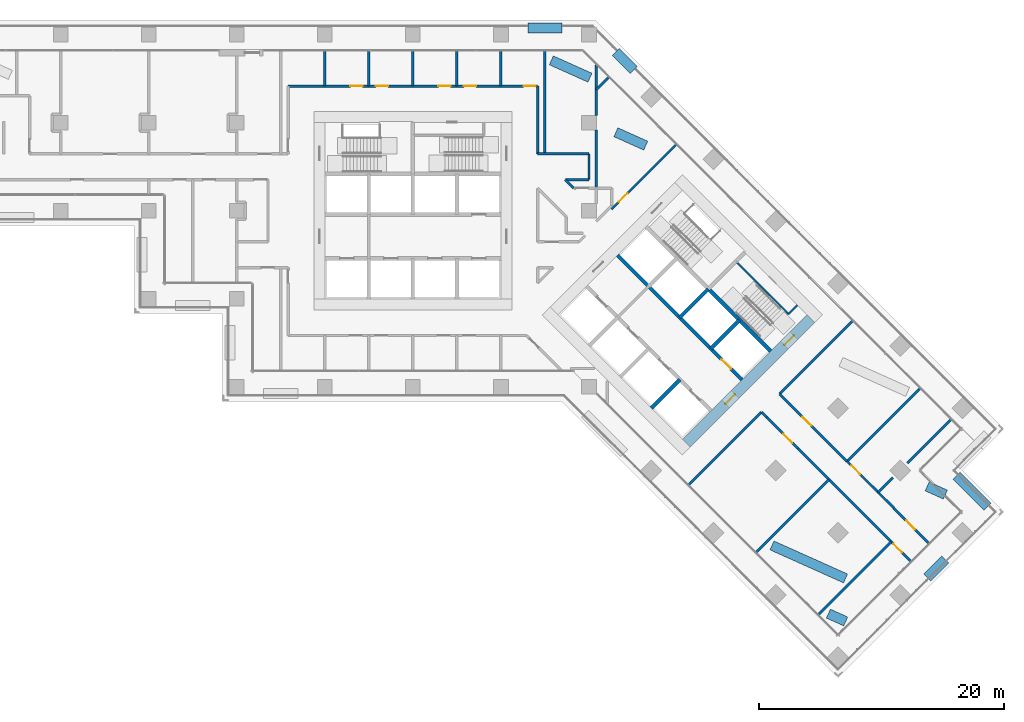
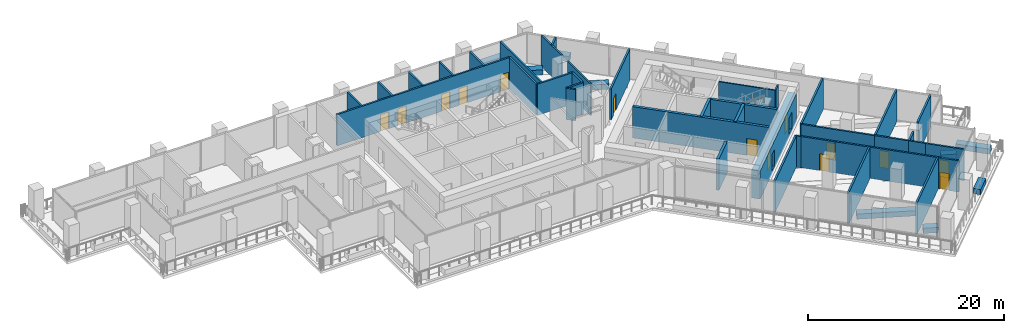
# One storey, part 14 of 24: 47 walls, 14 doors, 14 openings.
"""IFC4 building model written with IfcOpenShell, lengths in metres."""

from ifc_helpers import new_model, si_unit, direction, frame, frame_2d, origin, place, context, subcontext, project, spatial, polyline, rectangle, outline, extrude, material, layer, layer_set, type_object, element, fill, save


model = new_model("IFC4")

# Units and contexts
model_context = context("Model", 3, precision=1e-05, world=origin(), true_north=direction((0.0, 1.0)))
body_context = subcontext(model_context, "Body", "Model", "MODEL_VIEW")
ifc_project = project(units=[si_unit("LENGTHUNIT", "METRE"), si_unit("AREAUNIT", "SQUARE_METRE"), si_unit("VOLUMEUNIT", "CUBIC_METRE"), si_unit("PLANEANGLEUNIT", "RADIAN"), si_unit("MASSUNIT", "GRAM", prefix="KILO")], contexts=[model_context])

# Site, building, storey
site_placement = place(None, origin())
site = spatial("IfcSite", under=ifc_project, at=site_placement, CompositionType="ELEMENT")
building_placement = place(site_placement, origin())
building = spatial("IfcBuilding", under=site, at=building_placement, Name="Windrow Commons", CompositionType="ELEMENT")
storey_placement = place(building_placement, frame((0.0, 0.0, 77.0)))
storey = spatial("IfcBuildingStorey", under=building, at=storey_placement, Name="L20", CompositionType="ELEMENT", Elevation=77.0)

# Wall, openings, doors
ifc_material_1 = material(Name="Blockwork partition", Category="masonry")
ifc_layer_1 = layer(ifc_material_1, 0.2)
ifc_layer_set_1 = layer_set([ifc_layer_1], Name="IW-CORRIDOR-200")
wall_type_1 = type_object("IfcWallType", Name="IW-CORRIDOR-200", PredefinedType="PARTITIONING", material=ifc_layer_set_1)
wall_1_placement = place(storey_placement, frame((54.6, 67.8, 0.0), z_axis=(0.0, 0.0, 1.0), x_axis=(1.0, 0.0, 0.0)))
wall_1 = element("IfcWall", 1, at=wall_1_placement, inside=storey, type_object=wall_type_1, Name="W-L20-W002", PredefinedType="PARTITIONING", context=body_context, shape_type="SweptSolid", body=[
    extrude(rectangle(XDim=20.4, YDim=0.2, at=frame_2d((10.2, 0.0))), origin(), (0.0, 0.0, 1.0), 3.9),
])
opening_1_placement = place(wall_1_placement, frame((19.2568, 0.0, 0.0)))
opening_1 = element("IfcOpeningElement", 2, at=opening_1_placement, cuts=wall_1, Name="Opening D310F", PredefinedType="OPENING", context=body_context, shape_type="SweptSolid", body=[
    extrude(rectangle(XDim=1.0, YDim=2.1, at=frame_2d((0.5, 1.05))), frame((0.0, 0.11, 0.0), z_axis=(0.0, -1.0, 0.0), x_axis=(1.0, 0.0, 0.0)), (0.0, 0.0, 1.0), 0.22),
])
opening_2_placement = place(wall_1_placement, frame((5.0925, 0.0, 0.0)))
opening_2 = element("IfcOpeningElement", 3, at=opening_2_placement, cuts=wall_1, Name="Opening D310F", PredefinedType="OPENING", context=body_context, shape_type="SweptSolid", body=[
    extrude(rectangle(XDim=1.0, YDim=2.1, at=frame_2d((0.5, 1.05))), frame((0.0, 0.11, 0.0), z_axis=(0.0, -1.0, 0.0), x_axis=(1.0, 0.0, 0.0)), (0.0, 0.0, 1.0), 0.22),
])
opening_3_placement = place(wall_1_placement, frame((7.1675, 0.0, 0.0)))
opening_3 = element("IfcOpeningElement", 4, at=opening_3_placement, cuts=wall_1, Name="Opening D310F", PredefinedType="OPENING", context=body_context, shape_type="SweptSolid", body=[
    extrude(rectangle(XDim=1.0, YDim=2.1, at=frame_2d((0.5, 1.05))), frame((0.0, 0.11, 0.0), z_axis=(0.0, -1.0, 0.0), x_axis=(1.0, 0.0, 0.0)), (0.0, 0.0, 1.0), 0.22),
])
opening_4_placement = place(wall_1_placement, frame((12.2925, 0.0, 0.0)))
opening_4 = element("IfcOpeningElement", 5, at=opening_4_placement, cuts=wall_1, Name="Opening D310F", PredefinedType="OPENING", context=body_context, shape_type="SweptSolid", body=[
    extrude(rectangle(XDim=1.0, YDim=2.1, at=frame_2d((0.5, 1.05))), frame((0.0, 0.11, 0.0), z_axis=(0.0, -1.0, 0.0), x_axis=(1.0, 0.0, 0.0)), (0.0, 0.0, 1.0), 0.22),
])
opening_5_placement = place(wall_1_placement, frame((14.3675, 0.0, 0.0)))
opening_5 = element("IfcOpeningElement", 6, at=opening_5_placement, cuts=wall_1, Name="Opening D310F", PredefinedType="OPENING", context=body_context, shape_type="SweptSolid", body=[
    extrude(rectangle(XDim=1.0, YDim=2.1, at=frame_2d((0.5, 1.05))), frame((0.0, 0.11, 0.0), z_axis=(0.0, -1.0, 0.0), x_axis=(1.0, 0.0, 0.0)), (0.0, 0.0, 1.0), 0.22),
])
ifc_material_2 = material(Name="Timber door leaf", Category="wood")
door_type_1 = type_object("IfcDoorType", Name="DT-AMENITY-1000", OperationType="SINGLE_SWING_LEFT", PredefinedType="DOOR", material=ifc_material_2)
door_1_placement = place(opening_1_placement, origin())
door_1 = element("IfcDoor", 7, at=door_1_placement, inside=storey, type_object=door_type_1, Name="D-L20-D018", OperationType="SINGLE_SWING_RIGHT", OverallHeight=2.1, OverallWidth=1.0, PredefinedType="DOOR", context=body_context, shape_type="SweptSolid", body=[
    extrude(rectangle(XDim=1.0, YDim=2.1, at=frame_2d((0.5, 1.05))), frame((0.0, 0.025, 0.0), z_axis=(0.0, -1.0, 0.0), x_axis=(1.0, 0.0, 0.0)), (0.0, 0.0, 1.0), 0.05),
])
fill(opening_1, door_1)
door_2_placement = place(opening_2_placement, origin())
door_2 = element("IfcDoor", 8, at=door_2_placement, inside=storey, type_object=door_type_1, Name="D-L20-D019", OperationType="SINGLE_SWING_RIGHT", OverallHeight=2.1, OverallWidth=1.0, PredefinedType="DOOR", context=body_context, shape_type="SweptSolid", body=[
    extrude(rectangle(XDim=1.0, YDim=2.1, at=frame_2d((0.5, 1.05))), frame((0.0, 0.025, 0.0), z_axis=(0.0, -1.0, 0.0), x_axis=(1.0, 0.0, 0.0)), (0.0, 0.0, 1.0), 0.05),
])
fill(opening_2, door_2)
door_3_placement = place(opening_3_placement, origin())
door_3 = element("IfcDoor", 9, at=door_3_placement, inside=storey, type_object=door_type_1, Name="D-L20-D020", OperationType="SINGLE_SWING_LEFT", OverallHeight=2.1, OverallWidth=1.0, PredefinedType="DOOR", context=body_context, shape_type="SweptSolid", body=[
    extrude(rectangle(XDim=1.0, YDim=2.1, at=frame_2d((0.5, 1.05))), frame((0.0, 0.025, 0.0), z_axis=(0.0, -1.0, 0.0), x_axis=(1.0, 0.0, 0.0)), (0.0, 0.0, 1.0), 0.05),
])
fill(opening_3, door_3)
door_4_placement = place(opening_4_placement, origin())
door_4 = element("IfcDoor", 10, at=door_4_placement, inside=storey, type_object=door_type_1, Name="D-L20-D021", OperationType="SINGLE_SWING_RIGHT", OverallHeight=2.1, OverallWidth=1.0, PredefinedType="DOOR", context=body_context, shape_type="SweptSolid", body=[
    extrude(rectangle(XDim=1.0, YDim=2.1, at=frame_2d((0.5, 1.05))), frame((0.0, 0.025, 0.0), z_axis=(0.0, -1.0, 0.0), x_axis=(1.0, 0.0, 0.0)), (0.0, 0.0, 1.0), 0.05),
])
fill(opening_4, door_4)
door_5_placement = place(opening_5_placement, origin())
door_5 = element("IfcDoor", 11, at=door_5_placement, inside=storey, type_object=door_type_1, Name="D-L20-D022", OperationType="SINGLE_SWING_LEFT", OverallHeight=2.1, OverallWidth=1.0, PredefinedType="DOOR", context=body_context, shape_type="SweptSolid", body=[
    extrude(rectangle(XDim=1.0, YDim=2.1, at=frame_2d((0.5, 1.05))), frame((0.0, 0.025, 0.0), z_axis=(0.0, -1.0, 0.0), x_axis=(1.0, 0.0, 0.0)), (0.0, 0.0, 1.0), 0.05),
])
fill(opening_5, door_5)

# Wall, opening, door
wall_2_placement = place(storey_placement, frame((96.2736, 38.1616, 0.0), z_axis=(0.0, 0.0, 1.0), x_axis=(0.7071067812, -0.7071067812, 0.0)))
wall_2 = element("IfcWall", 12, at=wall_2_placement, inside=storey, type_object=wall_type_1, Name="W-L20-W004", PredefinedType="PARTITIONING", context=body_context, shape_type="SweptSolid", body=[
    extrude(outline(polyline([(0.0, -0.1), (13.0687, -0.1), (13.0687, 0.1), (0.0, 0.1), (0.0, -0.1)])), origin(), (0.0, 0.0, 1.0), 3.9),
])
opening_6_placement = place(wall_2_placement, frame((11.0529, 0.0, 0.0)))
opening_6 = element("IfcOpeningElement", 13, at=opening_6_placement, cuts=wall_2, Name="Opening D310F", PredefinedType="OPENING", context=body_context, shape_type="SweptSolid", body=[
    extrude(rectangle(XDim=1.0, YDim=2.1, at=frame_2d((0.5, 1.05))), frame((0.0, 0.11, 0.0), z_axis=(0.0, -1.0, 0.0), x_axis=(1.0, 0.0, 0.0)), (0.0, 0.0, 1.0), 0.22),
])
door_6_placement = place(opening_6_placement, origin())
door_6 = element("IfcDoor", 14, at=door_6_placement, inside=storey, type_object=door_type_1, Name="D-L20-D030", OperationType="SINGLE_SWING_LEFT", OverallHeight=2.1, OverallWidth=1.0, PredefinedType="DOOR", context=body_context, shape_type="SweptSolid", body=[
    extrude(rectangle(XDim=1.0, YDim=2.1, at=frame_2d((0.5, 1.05))), frame((0.0, 0.025, 0.0), z_axis=(0.0, -1.0, 0.0), x_axis=(1.0, 0.0, 0.0)), (0.0, 0.0, 1.0), 0.05),
])
fill(opening_6, door_6)

# Walls
for number, where, z_axis, x_axis, name in (
    (15, (87.3512, 35.1808, 0.0), (0.0, 0.0, 1.0), (0.7071067812, 0.7071067812, 0.0), "W-L20-W008"),
    (16, (94.7912, 42.6208, 0.0), (0.0, 0.0, 1.0), (0.7071067812, 0.7071067812, 0.0), "W-L20-W009"),
):
    element("IfcWall", number, at=place(storey_placement, frame(where, z_axis=z_axis, x_axis=x_axis)), inside=storey, type_object=wall_type_1, Name=name, PredefinedType="PARTITIONING", context=body_context, shape_type="SweptSolid", body=[
        extrude(rectangle(XDim=8.4202, YDim=0.2, at=frame_2d((4.2101, 0.0))), origin(), (0.0, 0.0, 1.0), 3.9),
    ])

# Wall, opening, door
wall_3_placement = place(storey_placement, frame((94.7885, 42.6165, 0.0), z_axis=(0.0, 0.0, 1.0), x_axis=(0.7071067812, -0.7071067812, 0.0)))
wall_3 = element("IfcWall", 17, at=wall_3_placement, inside=storey, type_object=wall_type_1, Name="W-L20-W014", PredefinedType="PARTITIONING", context=body_context, shape_type="SweptSolid", body=[
    extrude(rectangle(XDim=7.8008, YDim=0.2, at=frame_2d((3.9004, 0.0))), origin(), (0.0, 0.0, 1.0), 3.9),
])
opening_7_placement = place(wall_3_placement, frame((2.6742, 0.0, 0.0)))
opening_7 = element("IfcOpeningElement", 18, at=opening_7_placement, cuts=wall_3, Name="Opening D310F", PredefinedType="OPENING", context=body_context, shape_type="SweptSolid", body=[
    extrude(rectangle(XDim=1.0, YDim=2.1, at=frame_2d((0.5, 1.05))), frame((0.0, 0.11, 0.0), z_axis=(0.0, -1.0, 0.0), x_axis=(1.0, 0.0, 0.0)), (0.0, 0.0, 1.0), 0.22),
])
door_7_placement = place(opening_7_placement, origin())
door_7 = element("IfcDoor", 19, at=door_7_placement, inside=storey, type_object=door_type_1, Name="D-L20-D025", OperationType="SINGLE_SWING_RIGHT", OverallHeight=2.1, OverallWidth=1.0, PredefinedType="DOOR", context=body_context, shape_type="SweptSolid", body=[
    extrude(rectangle(XDim=1.0, YDim=2.1, at=frame_2d((0.5, 1.05))), frame((0.0, 0.025, 0.0), z_axis=(0.0, -1.0, 0.0), x_axis=(1.0, 0.0, 0.0)), (0.0, 0.0, 1.0), 0.05),
])
fill(opening_7, door_7)

wall_4_placement = place(storey_placement, frame((81.0512, 57.7308, 0.0), z_axis=(0.0, 0.0, 1.0), x_axis=(0.7071067812, 0.7071067812, 0.0)))
wall_4 = element("IfcWall", 20, at=wall_4_placement, inside=storey, type_object=wall_type_1, Name="W-L20-W016", PredefinedType="PARTITIONING", context=body_context, shape_type="SweptSolid", body=[
    extrude(rectangle(XDim=7.4501, YDim=0.2, at=frame_2d((3.725, 0.0))), origin(), (0.0, 0.0, 1.0), 3.9),
])
opening_8_placement = place(wall_4_placement, frame((0.8333, 0.0, 0.0)))
opening_8 = element("IfcOpeningElement", 21, at=opening_8_placement, cuts=wall_4, Name="Opening D310F", PredefinedType="OPENING", context=body_context, shape_type="SweptSolid", body=[
    extrude(rectangle(XDim=1.0, YDim=2.1, at=frame_2d((0.5, 1.05))), frame((0.0, 0.11, 0.0), z_axis=(0.0, -1.0, 0.0), x_axis=(1.0, 0.0, 0.0)), (0.0, 0.0, 1.0), 0.22),
])
door_8_placement = place(opening_8_placement, origin())
door_8 = element("IfcDoor", 22, at=door_8_placement, inside=storey, type_object=door_type_1, Name="D-L20-D024", OperationType="SINGLE_SWING_RIGHT", OverallHeight=2.1, OverallWidth=1.0, PredefinedType="DOOR", context=body_context, shape_type="SweptSolid", body=[
    extrude(rectangle(XDim=1.0, YDim=2.1, at=frame_2d((0.5, 1.05))), frame((0.0, 0.025, 0.0), z_axis=(0.0, -1.0, 0.0), x_axis=(1.0, 0.0, 0.0)), (0.0, 0.0, 1.0), 0.05),
])
fill(opening_8, door_8)

# Walls
wall_5_placement = place(storey_placement, frame((75.0, 62.252, 0.0), z_axis=(0.0, 0.0, 1.0), x_axis=(0.0, 1.0, 0.0)))
element("IfcWall", 23, at=wall_5_placement, inside=storey, type_object=wall_type_1, Name="W-L20-W020", PredefinedType="PARTITIONING", context=body_context, shape_type="SweptSolid", body=[
    extrude(rectangle(XDim=5.548, YDim=0.2, at=frame_2d((2.774, 0.0))), origin(), (0.0, 0.0, 1.0), 3.9),
])
wall_6_placement = place(storey_placement, frame((75.002, 62.25, 0.0), z_axis=(0.0, 0.0, 1.0), x_axis=(1.0, 0.0, 0.0)))
element("IfcWall", 24, at=wall_6_placement, inside=storey, type_object=wall_type_1, Name="W-L20-W030", PredefinedType="PARTITIONING", context=body_context, shape_type="SweptSolid", body=[
    extrude(rectangle(XDim=4.198, YDim=0.2, at=frame_2d((2.099, 0.0))), origin(), (0.0, 0.0, 1.0), 3.9),
])

# Wall, opening, door
wall_7_placement = place(storey_placement, frame((104.1225, 33.2825, 0.0), z_axis=(0.0, 0.0, 1.0), x_axis=(0.7071067812, -0.7071067812, 0.0)))
wall_7 = element("IfcWall", 25, at=wall_7_placement, inside=storey, type_object=wall_type_1, Name="W-L20-W032", PredefinedType="PARTITIONING", context=body_context, shape_type="SweptSolid", body=[
    extrude(rectangle(XDim=4.0701, YDim=0.2, at=frame_2d((2.0351, 0.0))), origin(), (0.0, 0.0, 1.0), 3.9),
])
opening_9_placement = place(wall_7_placement, frame((1.456, 0.0, 0.0)))
opening_9 = element("IfcOpeningElement", 26, at=opening_9_placement, cuts=wall_7, Name="Opening D310F", PredefinedType="OPENING", context=body_context, shape_type="SweptSolid", body=[
    extrude(rectangle(XDim=1.0, YDim=2.1, at=frame_2d((0.5, 1.05))), frame((0.0, 0.11, 0.0), z_axis=(0.0, -1.0, 0.0), x_axis=(1.0, 0.0, 0.0)), (0.0, 0.0, 1.0), 0.22),
])
door_9_placement = place(opening_9_placement, origin())
door_9 = element("IfcDoor", 27, at=door_9_placement, inside=storey, type_object=door_type_1, Name="D-L20-D026", OperationType="SINGLE_SWING_LEFT", OverallHeight=2.1, OverallWidth=1.0, PredefinedType="DOOR", context=body_context, shape_type="SweptSolid", body=[
    extrude(rectangle(XDim=1.0, YDim=2.1, at=frame_2d((0.5, 1.05))), frame((0.0, 0.025, 0.0), z_axis=(0.0, -1.0, 0.0), x_axis=(1.0, 0.0, 0.0)), (0.0, 0.0, 1.0), 0.05),
])
fill(opening_9, door_9)

wall_8_placement = place(storey_placement, frame((93.7323, 40.7103, 0.0), z_axis=(0.0, 0.0, 1.0), x_axis=(0.7068288851, -0.7073845681, 0.0)))
wall_8 = element("IfcWall", 28, at=wall_8_placement, inside=storey, type_object=wall_type_1, Name="W-L20-W035", PredefinedType="PARTITIONING", context=body_context, shape_type="SweptSolid", body=[
    extrude(rectangle(XDim=3.5992, YDim=0.2, at=frame_2d((1.7996, 0.0))), origin(), (0.0, 0.0, 1.0), 3.9),
])
opening_10_placement = place(wall_8_placement, frame((1.956, 0.0, 0.0)))
opening_10 = element("IfcOpeningElement", 29, at=opening_10_placement, cuts=wall_8, Name="Opening D310F", PredefinedType="OPENING", context=body_context, shape_type="SweptSolid", body=[
    extrude(rectangle(XDim=1.0, YDim=2.1, at=frame_2d((0.5, 1.05))), frame((0.0, 0.11, 0.0), z_axis=(0.0, -1.0, 0.0), x_axis=(1.0, 0.0, 0.0)), (0.0, 0.0, 1.0), 0.22),
])
door_10_placement = place(opening_10_placement, origin())
door_10 = element("IfcDoor", 30, at=door_10_placement, inside=storey, type_object=door_type_1, Name="D-L20-D028", OperationType="SINGLE_SWING_LEFT", OverallHeight=2.1, OverallWidth=1.0, PredefinedType="DOOR", context=body_context, shape_type="SweptSolid", body=[
    extrude(rectangle(XDim=1.0, YDim=2.1, at=frame_2d((0.5, 1.05))), frame((0.0, 0.025, 0.0), z_axis=(0.0, -1.0, 0.0), x_axis=(1.0, 0.0, 0.0)), (0.0, 0.0, 1.0), 0.05),
])
fill(opening_10, door_10)

wall_9_placement = place(storey_placement, frame((100.3098, 37.1058, 0.0), z_axis=(0.0, 0.0, 1.0), x_axis=(0.7073845681, -0.7068288851, 0.0)))
wall_9 = element("IfcWall", 31, at=wall_9_placement, inside=storey, type_object=wall_type_1, Name="W-L20-W036", PredefinedType="PARTITIONING", context=body_context, shape_type="SweptSolid", body=[
    extrude(rectangle(XDim=3.5992, YDim=0.2, at=frame_2d((1.7996, 0.0))), origin(), (0.0, 0.0, 1.0), 3.9),
])
opening_11_placement = place(wall_9_placement, frame((0.5067, 0.0, 0.0)))
opening_11 = element("IfcOpeningElement", 32, at=opening_11_placement, cuts=wall_9, Name="Opening D310F", PredefinedType="OPENING", context=body_context, shape_type="SweptSolid", body=[
    extrude(rectangle(XDim=1.0, YDim=2.1, at=frame_2d((0.5, 1.05))), frame((0.0, 0.11, 0.0), z_axis=(0.0, -1.0, 0.0), x_axis=(1.0, 0.0, 0.0)), (0.0, 0.0, 1.0), 0.22),
])
door_11_placement = place(opening_11_placement, origin())
door_11 = element("IfcDoor", 33, at=door_11_placement, inside=storey, type_object=door_type_1, Name="D-L20-D027", OperationType="SINGLE_SWING_RIGHT", OverallHeight=2.1, OverallWidth=1.0, PredefinedType="DOOR", context=body_context, shape_type="SweptSolid", body=[
    extrude(rectangle(XDim=1.0, YDim=2.1, at=frame_2d((0.5, 1.05))), frame((0.0, 0.025, 0.0), z_axis=(0.0, -1.0, 0.0), x_axis=(1.0, 0.0, 0.0)), (0.0, 0.0, 1.0), 0.05),
])
fill(opening_11, door_11)

# Walls
wall_10_placement = place(storey_placement, frame((79.2, 60.152, 0.0), z_axis=(0.0, 0.0, 1.0), x_axis=(0.0, 1.0, 0.0)))
element("IfcWall", 34, at=wall_10_placement, inside=storey, type_object=wall_type_1, Name="W-L20-W055", PredefinedType="PARTITIONING", context=body_context, shape_type="SweptSolid", body=[
    extrude(rectangle(XDim=2.098, YDim=0.2, at=frame_2d((1.049, 0.0))), origin(), (0.0, 0.0, 1.0), 3.9),
])
wall_11_placement = place(storey_placement, frame((77.264, 60.15, 0.0), z_axis=(0.0, 0.0, 1.0), x_axis=(1.0, 0.0, 0.0)))
element("IfcWall", 35, at=wall_11_placement, inside=storey, type_object=wall_type_1, Name="W-L20-W057", PredefinedType="PARTITIONING", context=body_context, shape_type="SweptSolid", body=[
    extrude(rectangle(XDim=1.934, YDim=0.2, at=frame_2d((0.967, 0.0))), origin(), (0.0, 0.0, 1.0), 3.9),
])
wall_12_placement = place(storey_placement, frame((102.8551, 34.5611, 0.0), z_axis=(0.0, 0.0, 1.0), x_axis=(0.7076620277, -0.7065510983, 0.0)))
element("IfcWall", 36, at=wall_12_placement, inside=storey, type_object=wall_type_1, Name="W-L20-W065", PredefinedType="PARTITIONING", context=body_context, shape_type="SweptSolid", body=[
    extrude(rectangle(XDim=1.8003, YDim=0.2, at=frame_2d((0.9002, 0.0))), origin(), (0.0, 0.0, 1.0), 3.9),
])
wall_13_placement = place(storey_placement, frame((77.2605, 60.1445, 0.0), z_axis=(0.0, 0.0, 1.0), x_axis=(0.7071067812, -0.7071067812, 0.0)))
element("IfcWall", 37, at=wall_13_placement, inside=storey, type_object=wall_type_1, Name="W-L20-W083", PredefinedType="PARTITIONING", context=body_context, shape_type="SweptSolid", body=[
    extrude(rectangle(XDim=0.9871, YDim=0.2, at=frame_2d((0.4935, 0.0))), origin(), (0.0, 0.0, 1.0), 3.9),
])
wall_14_placement = place(storey_placement, frame((93.3046, 41.1306, 0.0), z_axis=(0.0, 0.0, 1.0), x_axis=(0.7071067812, -0.7071067812, 0.0)))
element("IfcWall", 38, at=wall_14_placement, inside=storey, type_object=wall_type_1, Name="W-L20-W095", PredefinedType="PARTITIONING", context=body_context, shape_type="SweptSolid", body=[
    extrude(rectangle(XDim=0.5996, YDim=0.2, at=frame_2d((0.2998, 0.0))), origin(), (0.0, 0.0, 1.0), 3.9),
])
ifc_material_3 = material(Name="Blockwork partition", Category="masonry")
ifc_layer_2 = layer(ifc_material_3, 0.2)
ifc_layer_set_2 = layer_set([ifc_layer_2], Name="IW-PARTY-200")
wall_type_2 = type_object("IfcWallType", Name="IW-PARTY-200", PredefinedType="PARTITIONING", material=ifc_layer_set_2)
wall_15_placement = place(storey_placement, frame((97.961, 24.571, 0.0), z_axis=(0.0, 0.0, 1.0), x_axis=(0.7072255129, 0.7069880295, 0.0)))
element("IfcWall", 39, at=wall_15_placement, inside=storey, type_object=wall_type_2, Name="W-L20-W005", PredefinedType="PARTITIONING", context=body_context, shape_type="SweptSolid", body=[
    extrude(rectangle(XDim=8.4216, YDim=0.2, at=frame_2d((4.2108, 0.0))), origin(), (0.0, 0.0, 1.0), 3.9),
])
for number, where, z_axis, x_axis, name in (
    (40, (100.3066, 37.1054, 0.0), (0.0, 0.0, 1.0), (0.7071067812, 0.7071067812, 0.0), "W-L20-W006"),
    (41, (92.8666, 29.6654, 0.0), (0.0, 0.0, 1.0), (0.7071067812, 0.7071067812, 0.0), "W-L20-W007"),
):
    element("IfcWall", number, at=place(storey_placement, frame(where, z_axis=z_axis, x_axis=x_axis)), inside=storey, type_object=wall_type_2, Name=name, PredefinedType="PARTITIONING", context=body_context, shape_type="SweptSolid", body=[
        extrude(rectangle(XDim=8.4202, YDim=0.2, at=frame_2d((4.2101, 0.0))), origin(), (0.0, 0.0, 1.0), 3.9),
    ])
wall_16_placement = place(storey_placement, frame((75.6, 62.25, 0.0), z_axis=(0.0, 0.0, 1.0), x_axis=(0.0, 1.0, 0.0)))
element("IfcWall", 42, at=wall_16_placement, inside=storey, type_object=wall_type_2, Name="W-L20-W013", PredefinedType="PARTITIONING", context=body_context, shape_type="SweptSolid", body=[
    extrude(rectangle(XDim=8.42, YDim=0.2, at=frame_2d((4.21, 0.0))), origin(), (0.0, 0.0, 1.0), 3.9),
])
wall_17_placement = place(storey_placement, frame((105.2552, 36.9628, 0.0), z_axis=(0.0, 0.0, 1.0), x_axis=(0.7071067812, 0.7071067812, 0.0)))
element("IfcWall", 43, at=wall_17_placement, inside=storey, type_object=wall_type_2, Name="W-L20-W025", PredefinedType="PARTITIONING", context=body_context, shape_type="SweptSolid", body=[
    extrude(rectangle(XDim=5.0205, YDim=0.2, at=frame_2d((2.5103, 0.0))), origin(), (0.0, 0.0, 1.0), 3.9),
])
wall_18_placement = place(storey_placement, frame((79.8, 59.45, 0.0), z_axis=(0.0, 0.0, 1.0), x_axis=(0.0, 1.0, 0.0)))
element("IfcWall", 44, at=wall_18_placement, inside=storey, type_object=wall_type_2, Name="W-L20-W026", PredefinedType="PARTITIONING", context=body_context, shape_type="SweptSolid", body=[
    extrude(rectangle(XDim=4.75, YDim=0.2, at=frame_2d((2.375, 0.0))), origin(), (0.0, 0.0, 1.0), 3.9),
])
wall_19_placement = place(storey_placement, frame((79.8, 65.4, 0.0), z_axis=(0.0, 0.0, 1.0), x_axis=(0.0, 1.0, 0.0)))
element("IfcWall", 45, at=wall_19_placement, inside=storey, type_object=wall_type_2, Name="W-L20-W031", PredefinedType="PARTITIONING", context=body_context, shape_type="SweptSolid", body=[
    extrude(rectangle(XDim=4.12, YDim=0.2, at=frame_2d((2.06, 0.0))), origin(), (0.0, 0.0, 1.0), 3.9),
])
for number, where, z_axis, x_axis, name in (
    (46, (57.6, 67.8, 0.0), (0.0, 0.0, 1.0), (0.0, 1.0, 0.0), "W-L20-W039"),
    (47, (61.2, 67.8, 0.0), (0.0, 0.0, 1.0), (0.0, 1.0, 0.0), "W-L20-W040"),
    (48, (64.8, 67.8, 0.0), (0.0, 0.0, 1.0), (0.0, 1.0, 0.0), "W-L20-W041"),
    (49, (68.4, 67.8, 0.0), (0.0, 0.0, 1.0), (0.0, 1.0, 0.0), "W-L20-W042"),
    (50, (72.0, 67.8, 0.0), (0.0, 0.0, 1.0), (0.0, 1.0, 0.0), "W-L20-W043"),
):
    element("IfcWall", number, at=place(storey_placement, frame(where, z_axis=z_axis, x_axis=x_axis)), inside=storey, type_object=wall_type_2, Name=name, PredefinedType="PARTITIONING", context=body_context, shape_type="SweptSolid", body=[
        extrude(rectangle(XDim=2.87, YDim=0.2, at=frame_2d((1.435, 0.0))), origin(), (0.0, 0.0, 1.0), 3.9),
    ])
wall_20_placement = place(storey_placement, frame((102.8532, 34.5608, 0.0), z_axis=(0.0, 0.0, 1.0), x_axis=(0.7071067812, 0.7071067812, 0.0)))
element("IfcWall", 51, at=wall_20_placement, inside=storey, type_object=wall_type_2, Name="W-L20-W068", PredefinedType="PARTITIONING", context=body_context, shape_type="SweptSolid", body=[
    extrude(rectangle(XDim=1.6999, YDim=0.2, at=frame_2d((0.8499, 0.0))), origin(), (0.0, 0.0, 1.0), 3.9),
])
wall_21_placement = place(storey_placement, frame((79.7988, 67.5092, 0.0), z_axis=(0.0, 0.0, 1.0), x_axis=(0.7071067812, 0.7071067812, 0.0)))
element("IfcWall", 52, at=wall_21_placement, inside=storey, type_object=wall_type_2, Name="W-L20-W070", PredefinedType="PARTITIONING", context=body_context, shape_type="SweptSolid", body=[
    extrude(rectangle(XDim=1.4227, YDim=0.2, at=frame_2d((0.7114, 0.0))), origin(), (0.0, 0.0, 1.0), 3.9),
])
ifc_material_4 = material(Name="Concrete C30/37 planter wall", Category="concrete")
ifc_layer_3 = layer(ifc_material_4, 0.8)
ifc_layer_set_3 = layer_set([ifc_layer_3], Name="Planter 800x600")
wall_type_3 = type_object("IfcWallType", Name="Planter 800x600", PredefinedType="SOLIDWALL", material=ifc_layer_set_3)
wall_22_placement = place(storey_placement, frame((106.8558, 27.6016, 0.0), z_axis=(0.0, 0.0, 1.0), x_axis=(0.7071067812, 0.7071067812, 0.0)))
element("IfcWall", 53, at=wall_22_placement, inside=storey, type_object=wall_type_3, Name="PLANTER TR-L20-1.1", PredefinedType="SOLIDWALL", context=body_context, shape_type="SweptSolid", body=[
    extrude(rectangle(XDim=2.0775, YDim=0.8, at=frame_2d((1.0388, 0.0))), origin(), (0.0, 0.0, 1.0), 0.65),
])
wall_23_placement = place(storey_placement, frame((111.7976, 33.392, 0.0), z_axis=(0.0, 0.0, 1.0), x_axis=(-0.7071067812, 0.7071067812, 0.0)))
element("IfcWall", 54, at=wall_23_placement, inside=storey, type_object=wall_type_3, Name="PLANTER TR-L20-1.2", PredefinedType="SOLIDWALL", context=body_context, shape_type="SweptSolid", body=[
    extrude(rectangle(XDim=3.5999, YDim=0.8, at=frame_2d((1.7999, 0.0))), origin(), (0.0, 0.0, 1.0), 0.65),
])
wall_24_placement = place(storey_placement, frame((82.8691, 69.1088, 0.0), z_axis=(0.0, 0.0, 1.0), x_axis=(-0.7071067812, 0.7071067812, 0.0)))
element("IfcWall", 55, at=wall_24_placement, inside=storey, type_object=wall_type_3, Name="PLANTER TR-L20-1.4", PredefinedType="SOLIDWALL", context=body_context, shape_type="SweptSolid", body=[
    extrude(rectangle(XDim=2.0776, YDim=0.8, at=frame_2d((1.0388, 0.0))), origin(), (0.0, 0.0, 1.0), 0.65),
])
wall_25_placement = place(storey_placement, frame((77.0, 72.55, 0.0), z_axis=(0.0, 0.0, 1.0), x_axis=(-1.0, 0.0, 0.0)))
element("IfcWall", 56, at=wall_25_placement, inside=storey, type_object=wall_type_3, Name="PLANTER TR-L20-1.5", PredefinedType="SOLIDWALL", context=body_context, shape_type="SweptSolid", body=[
    extrude(rectangle(XDim=2.8, YDim=0.8, at=frame_2d((1.4, 0.0))), origin(), (0.0, 0.0, 1.0), 0.65),
])
wall_26_placement = place(storey_placement, frame((79.28, 68.4803, 0.0), z_axis=(0.0, 0.0, 1.0), x_axis=(-0.9122884657, 0.4095482333, 0.0)))
element("IfcWall", 57, at=wall_26_placement, inside=storey, type_object=wall_type_3, Name="PLANTER TR-L20-1 bed 1", PredefinedType="SOLIDWALL", context=body_context, shape_type="SweptSolid", body=[
    extrude(rectangle(XDim=3.4638, YDim=0.8, at=frame_2d((1.7319, 0.0))), origin(), (0.0, 0.0, 1.0), 0.65),
])
wall_27_placement = place(storey_placement, frame((83.8413, 62.9251, 0.0), z_axis=(0.0, 0.0, 1.0), x_axis=(-0.9122966033, 0.4095301059, 0.0)))
element("IfcWall", 58, at=wall_27_placement, inside=storey, type_object=wall_type_3, Name="PLANTER TR-L20-1 bed 2", PredefinedType="SOLIDWALL", context=body_context, shape_type="SweptSolid", body=[
    extrude(rectangle(XDim=2.676, YDim=0.8, at=frame_2d((1.338, 0.0))), origin(), (0.0, 0.0, 1.0), 0.65),
])
wall_28_placement = place(storey_placement, frame((100.1835, 27.5281, 0.0), z_axis=(0.0, 0.0, 1.0), x_axis=(-0.9122941569, 0.4095355556, 0.0)))
element("IfcWall", 59, at=wall_28_placement, inside=storey, type_object=wall_type_3, Name="PLANTER TR-L20-1 bed 18", PredefinedType="SOLIDWALL", context=body_context, shape_type="SweptSolid", body=[
    extrude(rectangle(XDim=6.596, YDim=0.8, at=frame_2d((3.298, 0.0))), origin(), (0.0, 0.0, 1.0), 0.65),
])
wall_29_placement = place(storey_placement, frame((100.1979, 24.014, 0.0), z_axis=(0.0, 0.0, 1.0), x_axis=(-0.9123091938, 0.4095020573, 0.0)))
element("IfcWall", 60, at=wall_29_placement, inside=storey, type_object=wall_type_3, Name="PLANTER TR-L20-1 bed 20", PredefinedType="SOLIDWALL", context=body_context, shape_type="SweptSolid", body=[
    extrude(rectangle(XDim=1.5573, YDim=0.8, at=frame_2d((0.7786, 0.0))), origin(), (0.0, 0.0, 1.0), 0.65),
])
wall_30_placement = place(storey_placement, frame((108.3474, 34.3862, 0.0), z_axis=(0.0, 0.0, 1.0), x_axis=(-0.9122919194, 0.4095405398, 0.0)))
element("IfcWall", 61, at=wall_30_placement, inside=storey, type_object=wall_type_3, Name="PLANTER TR-L20-1 bed 9", PredefinedType="SOLIDWALL", context=body_context, shape_type="SweptSolid", body=[
    extrude(outline(polyline([(0.0, -0.4), (1.635, -0.4), (1.635, 0.4), (0.0, 0.4), (0.0, -0.4)])), origin(), (0.0, 0.0, 1.0), 0.65),
])

# Wall, openings, doors
ifc_material_5 = material(Name="Concrete C60/75", Category="concrete")
ifc_layer_4 = layer(ifc_material_5, 0.9)
ifc_layer_set_4 = layer_set([ifc_layer_4], Name="RC CORE WALL 900 C60/75")
wall_type_4 = type_object("IfcWallType", Name="RC CORE WALL 900 C60/75", PredefinedType="SHEAR", material=ifc_layer_set_4)
wall_31_placement = place(storey_placement, frame((87.155, 38.5892, -0.3), z_axis=(0.0, 0.0, 1.0), x_axis=(0.7071067812, 0.7071067812, 0.0)))
wall_31 = element("IfcWall", 62, at=wall_31_placement, inside=storey, type_object=wall_type_4, Name="Core B wall outer-E", PredefinedType="SHEAR", context=body_context, shape_type="SweptSolid", body=[
    extrude(rectangle(XDim=14.3999, YDim=0.9, at=frame_2d((7.2, 0.0))), origin(), (0.0, 0.0, 1.0), 3.5),
])
opening_12_placement = place(wall_31_placement, frame((4.55, 0.0, 0.3)))
opening_12 = element("IfcOpeningElement", 63, at=opening_12_placement, cuts=wall_31, Name="Opening D6", PredefinedType="OPENING", context=body_context, shape_type="SweptSolid", body=[
    extrude(rectangle(XDim=1.1, YDim=2.1, at=frame_2d((0.55, 1.05))), frame((0.0, 0.46, 0.0), z_axis=(0.0, -1.0, 0.0), x_axis=(1.0, 0.0, 0.0)), (0.0, 0.0, 1.0), 0.92),
])
opening_13_placement = place(wall_31_placement, frame((11.35, 0.0, 0.3)))
opening_13 = element("IfcOpeningElement", 64, at=opening_13_placement, cuts=wall_31, Name="Opening D7", PredefinedType="OPENING", context=body_context, shape_type="SweptSolid", body=[
    extrude(rectangle(XDim=1.1, YDim=2.1, at=frame_2d((0.55, 1.05))), frame((0.0, 0.46, 0.0), z_axis=(0.0, -1.0, 0.0), x_axis=(1.0, 0.0, 0.0)), (0.0, 0.0, 1.0), 0.92),
])
ifc_material_6 = material(Name="Steel fire door leaf", Category="steel")
door_type_2 = type_object("IfcDoorType", Name="Core lobby door 1100", OperationType="SINGLE_SWING_LEFT", PredefinedType="DOOR", material=ifc_material_6)
door_12_placement = place(opening_12_placement, origin())
door_12 = element("IfcDoor", 65, at=door_12_placement, inside=storey, type_object=door_type_2, Name="Lift lobby door", OperationType="DOUBLE_DOOR_SINGLE_SWING", OverallHeight=2.1, OverallWidth=1.1, PredefinedType="DOOR", context=body_context, shape_type="SweptSolid", body=[
    extrude(rectangle(XDim=1.1, YDim=2.1, at=frame_2d((0.55, 1.05))), frame((0.0, 0.025, 0.0), z_axis=(0.0, -1.0, 0.0), x_axis=(1.0, 0.0, 0.0)), (0.0, 0.0, 1.0), 0.05),
])
fill(opening_12, door_12)
ifc_material_7 = material(Name="Steel fire door leaf", Category="steel")
door_type_3 = type_object("IfcDoorType", Name="Stair door 1100", OperationType="SINGLE_SWING_LEFT", PredefinedType="DOOR", material=ifc_material_7)
door_13_placement = place(opening_13_placement, origin())
door_13 = element("IfcDoor", 66, at=door_13_placement, inside=storey, type_object=door_type_3, Name="Stair door", OperationType="SINGLE_SWING_RIGHT", OverallHeight=2.1, OverallWidth=1.1, PredefinedType="DOOR", context=body_context, shape_type="SweptSolid", body=[
    extrude(rectangle(XDim=1.1, YDim=2.1, at=frame_2d((0.55, 1.05))), frame((0.0, 0.025, 0.0), z_axis=(0.0, -1.0, 0.0), x_axis=(1.0, 0.0, 0.0)), (0.0, 0.0, 1.0), 0.05),
])
fill(opening_13, door_13)

# Walls
ifc_material_8 = material(Name="Concrete C60/75", Category="concrete")
ifc_layer_5 = layer(ifc_material_8, 0.3)
ifc_layer_set_5 = layer_set([ifc_layer_5], Name="RC SHAFT WALL 300 C60/75")
wall_type_5 = type_object("IfcWallType", Name="RC SHAFT WALL 300 C60/75", PredefinedType="SOLIDWALL", material=ifc_layer_set_5)
wall_32_placement = place(storey_placement, frame((86.6246, 48.8776, 0.0), z_axis=(0.0, 0.0, 1.0), x_axis=(0.7071067812, 0.7071067812, 0.0)))
element("IfcWall", 67, at=wall_32_placement, inside=storey, type_object=wall_type_5, Name="Core B wall shaft-N2", PredefinedType="SOLIDWALL", context=body_context, shape_type="SweptSolid", body=[
    extrude(rectangle(XDim=3.3001, YDim=0.3, at=frame_2d((1.6501, 0.0))), origin(), (0.0, 0.0, 1.0), 3.9),
])
wall_33_placement = place(storey_placement, frame((84.2912, 41.453, 0.0), z_axis=(0.0, 0.0, 1.0), x_axis=(0.7071067812, 0.7071067812, 0.0)))
element("IfcWall", 68, at=wall_33_placement, inside=storey, type_object=wall_type_5, Name="Core B wall shaft-S3", PredefinedType="SOLIDWALL", context=body_context, shape_type="SweptSolid", body=[
    extrude(rectangle(XDim=3.2999, YDim=0.3, at=frame_2d((1.65, 0.0))), origin(), (0.0, 0.0, 1.0), 3.9),
])
wall_34_placement = place(storey_placement, frame((89.1702, 46.332, 0.0), z_axis=(0.0, 0.0, 1.0), x_axis=(0.7071067812, 0.7071067812, 0.0)))
element("IfcWall", 69, at=wall_34_placement, inside=storey, type_object=wall_type_5, Name="Core B wall shaft-N3", PredefinedType="SOLIDWALL", context=body_context, shape_type="SweptSolid", body=[
    extrude(rectangle(XDim=3.3001, YDim=0.3, at=frame_2d((1.6501, 0.0))), origin(), (0.0, 0.0, 1.0), 3.9),
])

# Wall, opening, door
wall_35_placement = place(storey_placement, frame((81.5335, 53.9688, 0.0), z_axis=(0.0, 0.0, 1.0), x_axis=(0.707103309, -0.7071102534, 0.0)))
wall_35 = element("IfcWall", 70, at=wall_35_placement, inside=storey, type_object=wall_type_5, Name="Core B wall lobby-N", PredefinedType="SOLIDWALL", context=body_context, shape_type="SweptSolid", body=[
    extrude(rectangle(XDim=14.4, YDim=0.3, at=frame_2d((7.2, 0.0))), origin(), (0.0, 0.0, 1.0), 3.9),
])
opening_14_placement = place(wall_35_placement, frame((12.05, 0.0, 0.0)))
opening_14 = element("IfcOpeningElement", 71, at=opening_14_placement, cuts=wall_35, Name="Opening LD", PredefinedType="OPENING", context=body_context, shape_type="SweptSolid", body=[
    extrude(rectangle(XDim=1.1, YDim=2.1, at=frame_2d((0.55, 1.05))), frame((0.0, 0.16, 0.0), z_axis=(0.0, -1.0, 0.0), x_axis=(1.0, 0.0, 0.0)), (0.0, 0.0, 1.0), 0.32),
])
ifc_material_9 = material(Name="Stainless steel door leaf", Category="steel")
door_type_4 = type_object("IfcDoorType", Name="Lift landing door 1100", OperationType="SLIDING_TO_LEFT", PredefinedType="DOOR", material=ifc_material_9)
door_14_placement = place(opening_14_placement, origin())
door_14 = element("IfcDoor", 72, at=door_14_placement, inside=storey, type_object=door_type_4, Name="Lift landing door", OperationType="SLIDING_TO_RIGHT", OverallHeight=2.1, OverallWidth=1.1, PredefinedType="DOOR", context=body_context, shape_type="SweptSolid", body=[
    extrude(rectangle(XDim=1.1, YDim=2.1, at=frame_2d((0.55, 1.05))), frame((0.0, 0.025, 0.0), z_axis=(0.0, -1.0, 0.0), x_axis=(1.0, 0.0, 0.0)), (0.0, 0.0, 1.0), 0.05),
])
fill(opening_14, door_14)

# Walls
wall_36_placement = place(storey_placement, frame((88.9581, 51.2111, 0.0), z_axis=(0.0, 0.0, 1.0), x_axis=(0.7070998367, -0.7071137256, 0.0)))
element("IfcWall", 73, at=wall_36_placement, inside=storey, type_object=wall_type_5, Name="Core B wall stair-S2", PredefinedType="SOLIDWALL", context=body_context, shape_type="SweptSolid", body=[
    extrude(rectangle(XDim=7.2, YDim=0.3, at=frame_2d((3.6, 0.0))), origin(), (0.0, 0.0, 1.0), 3.9),
])
ifc_material_10 = material(Name="Blockwork partition", Category="masonry")
ifc_layer_6 = layer(ifc_material_10, 0.15)
ifc_layer_set_6 = layer_set([ifc_layer_6], Name="Riser partition 150")
wall_type_6 = type_object("IfcWallType", Name="Riser partition 150", PredefinedType="PARTITIONING", material=ifc_layer_set_6)
wall_37_placement = place(storey_placement, frame((91.3127, 53.3536, 0.0), z_axis=(0.0, 0.0, 1.0), x_axis=(0.7071067812, -0.7071067812, 0.0)))
element("IfcWall", 74, at=wall_37_placement, inside=storey, type_object=wall_type_6, Name="W-core-strip-B-L20", PredefinedType="PARTITIONING", context=body_context, shape_type="SweptSolid", body=[
    extrude(rectangle(XDim=5.95, YDim=0.15, at=frame_2d((2.975, 0.0))), origin(), (0.0, 0.0, 1.0), 3.9),
])
wall_38_placement = place(storey_placement, frame((95.52, 49.1463, 0.0), z_axis=(0.0, 0.0, 1.0), x_axis=(0.7071067812, 0.7071067812, 0.0)))
element("IfcWall", 75, at=wall_38_placement, inside=storey, type_object=wall_type_6, Name="W-core-stripx-B-L20-1", PredefinedType="PARTITIONING", context=body_context, shape_type="SweptSolid", body=[
    extrude(rectangle(XDim=1.0201, YDim=0.15, at=frame_2d((0.5101, 0.0))), origin(), (0.0, 0.0, 1.0), 3.9),
])

save(model, "model.ifc")
